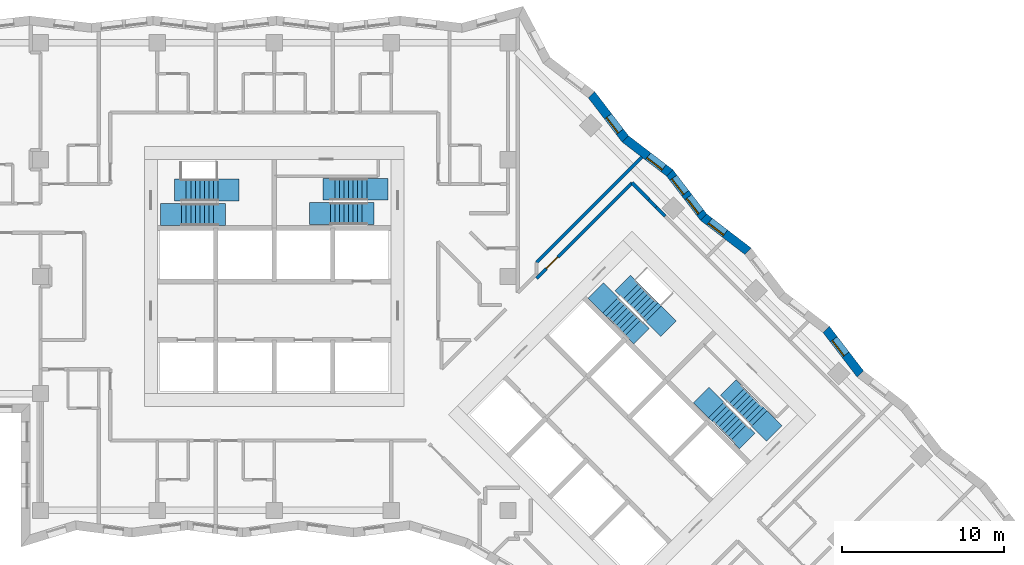
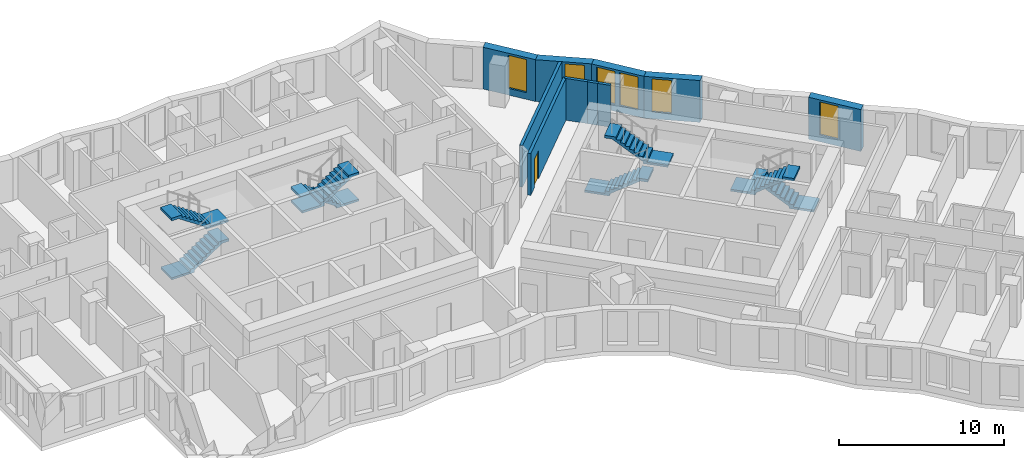
# One storey, part 11 of 13: 10 walls, 8 stair flights, 6 windows, 1 door, 7 openings, 4 elements without a shape of their own.
"""IFC4 building model written with IfcOpenShell, lengths in metres."""

from ifc_helpers import new_model, si_unit, direction, frame, frame_2d, origin, place, context, subcontext, project, spatial, polyline, rectangle, outline, extrude, material, layer, layer_set, type_object, element, fill, aggregate, save


model = new_model("IFC4")

# Units and contexts
model_context = context("Model", 3, precision=1e-05, world=origin(), true_north=direction((0.0, 1.0)))
body_context = subcontext(model_context, "Body", "Model", "MODEL_VIEW")
ifc_project = project(units=[si_unit("LENGTHUNIT", "METRE"), si_unit("AREAUNIT", "SQUARE_METRE"), si_unit("VOLUMEUNIT", "CUBIC_METRE"), si_unit("PLANEANGLEUNIT", "RADIAN"), si_unit("MASSUNIT", "GRAM", prefix="KILO")], contexts=[model_context])

# Site, building, storey
site_placement = place(None, origin())
site = spatial("IfcSite", under=ifc_project, at=site_placement, CompositionType="ELEMENT")
building_placement = place(site_placement, origin())
building = spatial("IfcBuilding", under=site, at=building_placement, Name="Windrow Commons", CompositionType="ELEMENT")
storey_placement = place(building_placement, frame((0.0, 0.0, 98.2)))
storey = spatial("IfcBuildingStorey", under=building, at=storey_placement, Name="L26", CompositionType="ELEMENT", Elevation=98.2)

# Wall, opening, window
ifc_material_1 = material(Name="Brick masonry, red clay brick", Category="masonry")
ifc_layer_1 = layer(ifc_material_1, 0.55)
ifc_layer_set_1 = layer_set([ifc_layer_1], Name="Brick facade wall 550")
wall_type_1 = type_object("IfcWallType", Name="Brick facade wall 550", PredefinedType="SOLIDWALL", material=ifc_layer_set_1)
wall_1_placement = place(storey_placement, frame((100.8907, 51.614, 0.0), z_axis=(0.0, 0.0, 1.0), x_axis=(-0.6082581669, 0.7937392534, 0.0)))
wall_1 = element("IfcWall", 1, at=wall_1_placement, inside=storey, type_object=wall_type_1, Name="Brick facade wall L26 12", PredefinedType="SOLIDWALL", context=body_context, shape_type="SweptSolid", body=[
    extrude(outline(polyline([(0.0364, -0.275), (3.4755, -0.275), (3.4028, 0.275), (-0.0364, 0.275), (0.0364, -0.275)])), origin(), (0.0, 0.0, 1.0), 3.1),
])
opening_1_placement = place(wall_1_placement, frame((1.4819, 0.0, 0.5)))
opening_1 = element("IfcOpeningElement", 2, at=opening_1_placement, cuts=wall_1, Name="Opening W7D", PredefinedType="OPENING", context=body_context, shape_type="SweptSolid", body=[
    extrude(rectangle(XDim=1.2, YDim=2.45, at=frame_2d((0.6, 1.225))), frame((0.0, 0.285, 0.0), z_axis=(0.0, -1.0, 0.0), x_axis=(1.0, 0.0, 0.0)), (0.0, 0.0, 1.0), 0.57),
])
ifc_material_2 = material(Name="Clear float glass in anodised aluminium frame", Category="aluminium")
window_type = type_object("IfcWindowType", Name="Window W7 notch 1200x2450", PartitioningType="SINGLE_PANEL", PredefinedType="WINDOW", material=ifc_material_2)
window_1_placement = place(opening_1_placement, origin())
window_1 = element("IfcWindow", 3, at=window_1_placement, inside=storey, type_object=window_type, Name="Window L26 12.1", OverallHeight=2.45, OverallWidth=1.2, PartitioningType="SINGLE_PANEL", PredefinedType="WINDOW", context=body_context, shape_type="SweptSolid", body=[
    extrude(rectangle(XDim=1.2, YDim=2.45, at=frame_2d((0.6, 1.225))), frame((0.0, 0.155, 0.0), z_axis=(0.0, -1.0, 0.0), x_axis=(1.0, 0.0, 0.0)), (0.0, 0.0, 1.0), 0.06),
])
fill(opening_1, window_1)

wall_2_placement = place(storey_placement, frame((93.9771, 59.1655, 0.0), z_axis=(0.0, 0.0, 1.0), x_axis=(-0.7937392534, 0.6082581669, 0.0)))
wall_2 = element("IfcWall", 4, at=wall_2_placement, inside=storey, type_object=wall_type_1, Name="Brick facade wall L26 15", PredefinedType="SOLIDWALL", context=body_context, shape_type="SweptSolid", body=[
    extrude(outline(polyline([(-0.0364, -0.275), (3.4028, -0.275), (3.4755, 0.275), (0.0364, 0.275), (-0.0364, -0.275)])), origin(), (0.0, 0.0, 1.0), 3.1),
])
opening_2_placement = place(wall_2_placement, frame((1.7884, 0.0, 0.5)))
opening_2 = element("IfcOpeningElement", 5, at=opening_2_placement, cuts=wall_2, Name="Opening W7D", PredefinedType="OPENING", context=body_context, shape_type="SweptSolid", body=[
    extrude(rectangle(XDim=1.2, YDim=2.45, at=frame_2d((0.6, 1.225))), frame((0.0, 0.285, 0.0), z_axis=(0.0, -1.0, 0.0), x_axis=(1.0, 0.0, 0.0)), (0.0, 0.0, 1.0), 0.57),
])
window_2_placement = place(opening_2_placement, origin())
window_2 = element("IfcWindow", 6, at=window_2_placement, inside=storey, type_object=window_type, Name="Window L26 15.1", OverallHeight=2.45, OverallWidth=1.2, PartitioningType="SINGLE_PANEL", PredefinedType="WINDOW", context=body_context, shape_type="SweptSolid", body=[
    extrude(rectangle(XDim=1.2, YDim=2.45, at=frame_2d((0.6, 1.225))), frame((0.0, 0.155, 0.0), z_axis=(0.0, -1.0, 0.0), x_axis=(1.0, 0.0, 0.0)), (0.0, 0.0, 1.0), 0.06),
])
fill(opening_2, window_2)

# Wall, openings, windows
wall_3_placement = place(storey_placement, frame((91.2473, 61.2574, 0.0), z_axis=(0.0, 0.0, 1.0), x_axis=(-0.6082581669, 0.7937392534, 0.0)))
wall_3 = element("IfcWall", 7, at=wall_3_placement, inside=storey, type_object=wall_type_1, Name="Brick facade wall L26 16", PredefinedType="SOLIDWALL", context=body_context, shape_type="SweptSolid", body=[
    extrude(outline(polyline([(0.0364, -0.275), (3.4755, -0.275), (3.4028, 0.275), (-0.0364, 0.275), (0.0364, -0.275)])), origin(), (0.0, 0.0, 1.0), 3.1),
])
opening_3_placement = place(wall_3_placement, frame((0.3649, 0.0, 0.5)))
opening_3 = element("IfcOpeningElement", 8, at=opening_3_placement, cuts=wall_3, Name="Opening W7D", PredefinedType="OPENING", context=body_context, shape_type="SweptSolid", body=[
    extrude(rectangle(XDim=1.2, YDim=2.45, at=frame_2d((0.6, 1.225))), frame((0.0, 0.285, 0.0), z_axis=(0.0, -1.0, 0.0), x_axis=(1.0, 0.0, 0.0)), (0.0, 0.0, 1.0), 0.57),
])
opening_4_placement = place(wall_3_placement, frame((1.8663, 0.0, 0.5)))
opening_4 = element("IfcOpeningElement", 9, at=opening_4_placement, cuts=wall_3, Name="Opening W7D", PredefinedType="OPENING", context=body_context, shape_type="SweptSolid", body=[
    extrude(rectangle(XDim=1.2, YDim=2.45, at=frame_2d((0.6, 1.225))), frame((0.0, 0.285, 0.0), z_axis=(0.0, -1.0, 0.0), x_axis=(1.0, 0.0, 0.0)), (0.0, 0.0, 1.0), 0.57),
])
window_3_placement = place(opening_3_placement, origin())
window_3 = element("IfcWindow", 10, at=window_3_placement, inside=storey, type_object=window_type, Name="Window L26 16.1", OverallHeight=2.45, OverallWidth=1.2, PartitioningType="SINGLE_PANEL", PredefinedType="WINDOW", context=body_context, shape_type="SweptSolid", body=[
    extrude(rectangle(XDim=1.2, YDim=2.45, at=frame_2d((0.6, 1.225))), frame((0.0, 0.155, 0.0), z_axis=(0.0, -1.0, 0.0), x_axis=(1.0, 0.0, 0.0)), (0.0, 0.0, 1.0), 0.06),
])
fill(opening_3, window_3)
window_4_placement = place(opening_4_placement, origin())
window_4 = element("IfcWindow", 11, at=window_4_placement, inside=storey, type_object=window_type, Name="Window L26 16.2", OverallHeight=2.45, OverallWidth=1.2, PartitioningType="SINGLE_PANEL", PredefinedType="WINDOW", context=body_context, shape_type="SweptSolid", body=[
    extrude(rectangle(XDim=1.2, YDim=2.45, at=frame_2d((0.6, 1.225))), frame((0.0, 0.155, 0.0), z_axis=(0.0, -1.0, 0.0), x_axis=(1.0, 0.0, 0.0)), (0.0, 0.0, 1.0), 0.06),
])
fill(opening_4, window_4)

# Wall, opening, window
wall_4_placement = place(storey_placement, frame((89.1554, 63.9872, 0.0), z_axis=(0.0, 0.0, 1.0), x_axis=(-0.7937284952, 0.6082722054, 0.0)))
wall_4 = element("IfcWall", 12, at=wall_4_placement, inside=storey, type_object=wall_type_1, Name="Brick facade wall L26 17", PredefinedType="SOLIDWALL", context=body_context, shape_type="SweptSolid", body=[
    extrude(outline(polyline([(-0.0364, -0.275), (3.4028, -0.275), (3.4755, 0.275), (0.0364, 0.275), (-0.0364, -0.275)])), origin(), (0.0, 0.0, 1.0), 3.1),
])
opening_5_placement = place(wall_4_placement, frame((0.4792, 0.0, 0.5)))
opening_5 = element("IfcOpeningElement", 13, at=opening_5_placement, cuts=wall_4, Name="Opening W7D", PredefinedType="OPENING", context=body_context, shape_type="SweptSolid", body=[
    extrude(rectangle(XDim=1.2, YDim=2.45, at=frame_2d((0.6, 1.225))), frame((0.0, 0.285, 0.0), z_axis=(0.0, -1.0, 0.0), x_axis=(1.0, 0.0, 0.0)), (0.0, 0.0, 1.0), 0.57),
])
window_5_placement = place(opening_5_placement, origin())
window_5 = element("IfcWindow", 14, at=window_5_placement, inside=storey, type_object=window_type, Name="Window L26 17.1", OverallHeight=2.45, OverallWidth=1.2, PartitioningType="SINGLE_PANEL", PredefinedType="WINDOW", context=body_context, shape_type="SweptSolid", body=[
    extrude(rectangle(XDim=1.2, YDim=2.45, at=frame_2d((0.6, 1.225))), frame((0.0, 0.155, 0.0), z_axis=(0.0, -1.0, 0.0), x_axis=(1.0, 0.0, 0.0)), (0.0, 0.0, 1.0), 0.06),
])
fill(opening_5, window_5)

wall_5_placement = place(storey_placement, frame((86.4257, 66.0791, 0.0), z_axis=(0.0, 0.0, 1.0), x_axis=(-0.6082764855, 0.7937252152, 0.0)))
wall_5 = element("IfcWall", 15, at=wall_5_placement, inside=storey, type_object=wall_type_1, Name="Brick facade wall L26 18", PredefinedType="SOLIDWALL", context=body_context, shape_type="SweptSolid", body=[
    extrude(outline(polyline([(0.0364, -0.275), (3.4755, -0.275), (3.4028, 0.275), (-0.0364, 0.275), (0.0364, -0.275)])), origin(), (0.0, 0.0, 1.0), 3.1),
])
opening_6_placement = place(wall_5_placement, frame((0.5571, 0.0, 0.5)))
opening_6 = element("IfcOpeningElement", 16, at=opening_6_placement, cuts=wall_5, Name="Opening W7D", PredefinedType="OPENING", context=body_context, shape_type="SweptSolid", body=[
    extrude(rectangle(XDim=1.2, YDim=2.45, at=frame_2d((0.6, 1.225))), frame((0.0, 0.285, 0.0), z_axis=(0.0, -1.0, 0.0), x_axis=(1.0, 0.0, 0.0)), (0.0, 0.0, 1.0), 0.57),
])
window_6_placement = place(opening_6_placement, origin())
window_6 = element("IfcWindow", 17, at=window_6_placement, inside=storey, type_object=window_type, Name="Window L26 18.1", OverallHeight=2.45, OverallWidth=1.2, PartitioningType="SINGLE_PANEL", PredefinedType="WINDOW", context=body_context, shape_type="SweptSolid", body=[
    extrude(rectangle(XDim=1.2, YDim=2.45, at=frame_2d((0.6, 1.225))), frame((0.0, 0.155, 0.0), z_axis=(0.0, -1.0, 0.0), x_axis=(1.0, 0.0, 0.0)), (0.0, 0.0, 1.0), 0.06),
])
fill(opening_6, window_6)

# Wall, opening, door
ifc_material_3 = material(Name="Blockwork partition", Category="masonry")
ifc_layer_2 = layer(ifc_material_3, 0.2)
ifc_layer_set_2 = layer_set([ifc_layer_2], Name="IW-CORRIDOR-200")
wall_type_2 = type_object("IfcWallType", Name="IW-CORRIDOR-200", PredefinedType="PARTITIONING", material=ifc_layer_set_2)
wall_6_placement = place(storey_placement, frame((80.9509, 57.4891, 0.0), z_axis=(0.0, 0.0, 1.0), x_axis=(0.7071067812, 0.7071067812, 0.0)))
wall_6 = element("IfcWall", 18, at=wall_6_placement, inside=storey, type_object=wall_type_2, Name="W-L26-W012", PredefinedType="PARTITIONING", context=body_context, shape_type="SweptSolid", body=[
    extrude(rectangle(XDim=8.3212, YDim=0.2, at=frame_2d((4.1606, 0.0))), origin(), (0.0, 0.0, 1.0), 3.1),
])
opening_7_placement = place(wall_6_placement, frame((0.8507, 0.0, 0.0)))
opening_7 = element("IfcOpeningElement", 19, at=opening_7_placement, cuts=wall_6, Name="Opening D310F", PredefinedType="OPENING", context=body_context, shape_type="SweptSolid", body=[
    extrude(rectangle(XDim=1.0, YDim=2.1, at=frame_2d((0.5, 1.05))), frame((0.0, 0.11, 0.0), z_axis=(0.0, -1.0, 0.0), x_axis=(1.0, 0.0, 0.0)), (0.0, 0.0, 1.0), 0.22),
])
ifc_material_4 = material(Name="Timber door leaf", Category="wood")
door_type = type_object("IfcDoorType", Name="DT-AMENITY-1000", OperationType="SINGLE_SWING_LEFT", PredefinedType="DOOR", material=ifc_material_4)
door_placement = place(opening_7_placement, origin())
door = element("IfcDoor", 20, at=door_placement, inside=storey, type_object=door_type, Name="D-L26-D044", OperationType="SINGLE_SWING_RIGHT", OverallHeight=2.1, OverallWidth=1.0, PredefinedType="DOOR", context=body_context, shape_type="SweptSolid", body=[
    extrude(rectangle(XDim=1.0, YDim=2.1, at=frame_2d((0.5, 1.05))), frame((0.0, 0.025, 0.0), z_axis=(0.0, -1.0, 0.0), x_axis=(1.0, 0.0, 0.0)), (0.0, 0.0, 1.0), 0.05),
])
fill(opening_7, door)

# Walls
wall_7_placement = place(storey_placement, frame((86.8392, 63.3732, 0.0), z_axis=(0.0, 0.0, 1.0), x_axis=(0.7077963046, -0.7064165847, 0.0)))
element("IfcWall", 21, at=wall_7_placement, inside=storey, type_object=wall_type_2, Name="W-L26-W164", PredefinedType="PARTITIONING", context=body_context, shape_type="SweptSolid", body=[
    extrude(rectangle(XDim=1.4496, YDim=0.2, at=frame_2d((0.7248, 0.0))), origin(), (0.0, 0.0, 1.0), 3.1),
])
wall_8_placement = place(storey_placement, frame((88.3188, 61.8848, 0.0), z_axis=(0.0, 0.0, 1.0), x_axis=(0.7071067812, -0.7071067812, 0.0)))
element("IfcWall", 22, at=wall_8_placement, inside=storey, type_object=wall_type_2, Name="W-L26-W186", PredefinedType="PARTITIONING", context=body_context, shape_type="SweptSolid", body=[
    extrude(rectangle(XDim=0.792, YDim=0.2, at=frame_2d((0.396, 0.0))), origin(), (0.0, 0.0, 1.0), 3.1),
])
wall_9_placement = place(storey_placement, frame((87.8605, 62.3445, 0.0), z_axis=(0.0, 0.0, 1.0), x_axis=(0.7055645691, -0.708645637, 0.0)))
element("IfcWall", 23, at=wall_9_placement, inside=storey, type_object=wall_type_2, Name="W-L26-W191", PredefinedType="PARTITIONING", context=body_context, shape_type="SweptSolid", body=[
    extrude(rectangle(XDim=0.6491, YDim=0.2, at=frame_2d((0.3246, 0.0))), origin(), (0.0, 0.0, 1.0), 3.1),
])
ifc_material_5 = material(Name="Blockwork partition", Category="masonry")
ifc_layer_3 = layer(ifc_material_5, 0.2)
ifc_layer_set_3 = layer_set([ifc_layer_3], Name="IW-PARTY-200")
wall_type_3 = type_object("IfcWallType", Name="IW-PARTY-200", PredefinedType="PARTITIONING", material=ifc_layer_set_3)
wall_10_placement = place(storey_placement, frame((80.9489, 58.4771, 0.0), z_axis=(0.0, 0.0, 1.0), x_axis=(0.7071067812, 0.7071067812, 0.0)))
element("IfcWall", 24, at=wall_10_placement, inside=storey, type_object=wall_type_3, Name="W-L26-W009", PredefinedType="PARTITIONING", context=body_context, shape_type="SweptSolid", body=[
    extrude(rectangle(XDim=9.1695, YDim=0.2, at=frame_2d((4.5847, 0.0))), origin(), (0.0, 0.0, 1.0), 3.1),
])

# Stair, stair flights
ifc_material_6 = material(Name="Concrete C40/50", Category="concrete")
stair_type = type_object("IfcStairType", Name="Core stair", PredefinedType="HALF_TURN_STAIR", material=ifc_material_6)
placement = place(storey_placement, origin())
stair_1 = element("IfcStair", 25, at=placement, inside=storey, type_object=stair_type, Name="L26 Exit stair A1 core A", PredefinedType="HALF_TURN_STAIR")
ifc_material_7 = material(Name="Concrete C40/50", Category="concrete")
stair_flight_type = type_object("IfcStairFlightType", Name="Core stair flight", PredefinedType="STRAIGHT", material=ifc_material_7)
stair_flight_1_placement = place(storey_placement, frame((59.1, 61.425, 0.0), z_axis=(0.0, 0.0, 1.0), x_axis=(1.0, 0.0, 0.0)))
stair_flight_1 = element("IfcStairFlight", 26, at=stair_flight_1_placement, type_object=stair_flight_type, Name="ST-A1 flight 1", NumberOfRisers=9, NumberOfTreads=8, PredefinedType="STRAIGHT", RiserHeight=0.188888889, TreadLength=0.28, context=body_context, shape_type="SweptSolid", body=[
    extrude(outline(polyline([(-1.3, -0.15), (-1.3, 0.0), (0.0, 0.0), (0.0, 0.1889), (0.28, 0.1889), (0.28, 0.3778), (0.56, 0.3778), (0.56, 0.5667), (0.84, 0.5667), (0.84, 0.7556), (1.12, 0.7556), (1.12, 0.9444), (1.4, 0.9444), (1.4, 1.1333), (1.68, 1.1333), (1.68, 1.3222), (1.96, 1.3222), (1.96, 1.5111), (2.24, 1.5111), (2.69, 1.5111), (2.69, 1.3111), (2.24, 1.3111), (2.24, 1.3302), (0.2682, 0.0), (0.2682, -0.15), (-1.3, -0.15)])), frame((0.0, 0.675, 0.0), z_axis=(0.0, -1.0, 0.0), x_axis=(1.0, 0.0, 0.0)), (0.0, 0.0, 1.0), 1.35),
])
stair_flight_2_placement = place(storey_placement, frame((61.34, 62.925, 1.7), z_axis=(0.0, 0.0, 1.0), x_axis=(-1.0, 0.0, 0.0)))
stair_flight_2 = element("IfcStairFlight", 27, at=stair_flight_2_placement, type_object=stair_flight_type, Name="ST-A1 flight 2", NumberOfRisers=9, NumberOfTreads=8, PredefinedType="STRAIGHT", RiserHeight=0.188888889, TreadLength=0.28, context=body_context, shape_type="SweptSolid", body=[
    extrude(outline(polyline([(-1.3, -0.15), (-1.3, 0.0), (0.0, 0.0), (0.0, 0.1889), (0.28, 0.1889), (0.28, 0.3778), (0.56, 0.3778), (0.56, 0.5667), (0.84, 0.5667), (0.84, 0.7556), (1.12, 0.7556), (1.12, 0.9444), (1.4, 0.9444), (1.4, 1.1333), (1.68, 1.1333), (1.68, 1.3222), (1.96, 1.3222), (1.96, 1.5111), (2.24, 1.5111), (2.69, 1.5111), (2.69, 1.3111), (2.24, 1.3111), (2.24, 1.3302), (0.2682, 0.0), (0.2682, -0.15), (-1.3, -0.15)])), frame((0.0, 0.675, 0.0), z_axis=(0.0, -1.0, 0.0), x_axis=(1.0, 0.0, 0.0)), (0.0, 0.0, 1.0), 1.35),
])
aggregate(stair_1, [stair_flight_1, stair_flight_2])

stair_2 = element("IfcStair", 28, at=placement, inside=storey, type_object=stair_type, Name="L26 Exit stair A2 core A", PredefinedType="HALF_TURN_STAIR")
stair_flight_3_placement = place(storey_placement, frame((70.5, 62.98, 0.0), z_axis=(0.0, 0.0, 1.0), x_axis=(-1.0, 0.0, 0.0)))
stair_flight_3 = element("IfcStairFlight", 29, at=stair_flight_3_placement, type_object=stair_flight_type, Name="ST-A2 flight 1", NumberOfRisers=9, NumberOfTreads=8, PredefinedType="STRAIGHT", RiserHeight=0.188888889, TreadLength=0.28, context=body_context, shape_type="SweptSolid", body=[
    extrude(outline(polyline([(-1.3, -0.15), (-1.3, 0.0), (0.0, 0.0), (0.0, 0.1889), (0.28, 0.1889), (0.28, 0.3778), (0.56, 0.3778), (0.56, 0.5667), (0.84, 0.5667), (0.84, 0.7556), (1.12, 0.7556), (1.12, 0.9444), (1.4, 0.9444), (1.4, 1.1333), (1.68, 1.1333), (1.68, 1.3222), (1.96, 1.3222), (1.96, 1.5111), (2.24, 1.5111), (2.69, 1.5111), (2.69, 1.3111), (2.24, 1.3111), (2.24, 1.3302), (0.2682, 0.0), (0.2682, -0.15), (-1.3, -0.15)])), frame((0.0, 0.675, 0.0), z_axis=(0.0, -1.0, 0.0), x_axis=(1.0, 0.0, 0.0)), (0.0, 0.0, 1.0), 1.35),
])
stair_flight_4_placement = place(storey_placement, frame((68.26, 61.48, 1.7), z_axis=(0.0, 0.0, 1.0), x_axis=(1.0, 0.0, 0.0)))
stair_flight_4 = element("IfcStairFlight", 30, at=stair_flight_4_placement, type_object=stair_flight_type, Name="ST-A2 flight 2", NumberOfRisers=9, NumberOfTreads=8, PredefinedType="STRAIGHT", RiserHeight=0.188888889, TreadLength=0.28, context=body_context, shape_type="SweptSolid", body=[
    extrude(outline(polyline([(-1.3, -0.15), (-1.3, 0.0), (0.0, 0.0), (0.0, 0.1889), (0.28, 0.1889), (0.28, 0.3778), (0.56, 0.3778), (0.56, 0.5667), (0.84, 0.5667), (0.84, 0.7556), (1.12, 0.7556), (1.12, 0.9444), (1.4, 0.9444), (1.4, 1.1333), (1.68, 1.1333), (1.68, 1.3222), (1.96, 1.3222), (1.96, 1.5111), (2.24, 1.5111), (2.69, 1.5111), (2.69, 1.3111), (2.24, 1.3111), (2.24, 1.3302), (0.2682, 0.0), (0.2682, -0.15), (-1.3, -0.15)])), frame((0.0, 0.675, 0.0), z_axis=(0.0, -1.0, 0.0), x_axis=(1.0, 0.0, 0.0)), (0.0, 0.0, 1.0), 1.35),
])
aggregate(stair_2, [stair_flight_3, stair_flight_4])

stair_3 = element("IfcStair", 31, at=placement, inside=storey, type_object=stair_type, Name="L26 Exit stair B1 core B", PredefinedType="HALF_TURN_STAIR")
stair_flight_5_placement = place(storey_placement, frame((85.5109, 55.8249, 0.0), z_axis=(0.0, 0.0, 1.0), x_axis=(0.7071067812, -0.7071067812, 0.0)))
stair_flight_5 = element("IfcStairFlight", 32, at=stair_flight_5_placement, type_object=stair_flight_type, Name="ST-B1 flight 1", NumberOfRisers=9, NumberOfTreads=8, PredefinedType="STRAIGHT", RiserHeight=0.188888889, TreadLength=0.28, context=body_context, shape_type="SweptSolid", body=[
    extrude(outline(polyline([(-1.3, -0.15), (-1.3, 0.0), (0.0, 0.0), (0.0, 0.1889), (0.28, 0.1889), (0.28, 0.3778), (0.56, 0.3778), (0.56, 0.5667), (0.84, 0.5667), (0.84, 0.7556), (1.12, 0.7556), (1.12, 0.9444), (1.4, 0.9444), (1.4, 1.1333), (1.68, 1.1333), (1.68, 1.3222), (1.96, 1.3222), (1.96, 1.5111), (2.24, 1.5111), (2.69, 1.5111), (2.69, 1.3111), (2.24, 1.3111), (2.24, 1.3302), (0.2682, 0.0), (0.2682, -0.15), (-1.3, -0.15)])), frame((0.0, 0.675, 0.0), z_axis=(0.0, -1.0, 0.0), x_axis=(1.0, 0.0, 0.0)), (0.0, 0.0, 1.0), 1.35),
])
stair_flight_6_placement = place(storey_placement, frame((88.1555, 55.3017, 1.7), z_axis=(0.0, 0.0, 1.0), x_axis=(-0.7071067812, 0.7071067812, 0.0)))
stair_flight_6 = element("IfcStairFlight", 33, at=stair_flight_6_placement, type_object=stair_flight_type, Name="ST-B1 flight 2", NumberOfRisers=9, NumberOfTreads=8, PredefinedType="STRAIGHT", RiserHeight=0.188888889, TreadLength=0.28, context=body_context, shape_type="SweptSolid", body=[
    extrude(outline(polyline([(-1.3, -0.15), (-1.3, 0.0), (0.0, 0.0), (0.0, 0.1889), (0.28, 0.1889), (0.28, 0.3778), (0.56, 0.3778), (0.56, 0.5667), (0.84, 0.5667), (0.84, 0.7556), (1.12, 0.7556), (1.12, 0.9444), (1.4, 0.9444), (1.4, 1.1333), (1.68, 1.1333), (1.68, 1.3222), (1.96, 1.3222), (1.96, 1.5111), (2.24, 1.5111), (2.69, 1.5111), (2.69, 1.3111), (2.24, 1.3111), (2.24, 1.3302), (0.2682, 0.0), (0.2682, -0.15), (-1.3, -0.15)])), frame((0.0, 0.675, 0.0), z_axis=(0.0, -1.0, 0.0), x_axis=(1.0, 0.0, 0.0)), (0.0, 0.0, 1.0), 1.35),
])
aggregate(stair_3, [stair_flight_5, stair_flight_6])

stair_4 = element("IfcStair", 34, at=placement, inside=storey, type_object=stair_type, Name="L26 Exit stair B2 core B", PredefinedType="HALF_TURN_STAIR")
stair_flight_7_placement = place(storey_placement, frame((94.6715, 48.8635, 0.0), z_axis=(0.0, 0.0, 1.0), x_axis=(-0.7071067812, 0.7071067812, 0.0)))
stair_flight_7 = element("IfcStairFlight", 35, at=stair_flight_7_placement, type_object=stair_flight_type, Name="ST-B2 flight 1", NumberOfRisers=9, NumberOfTreads=8, PredefinedType="STRAIGHT", RiserHeight=0.188888889, TreadLength=0.28, context=body_context, shape_type="SweptSolid", body=[
    extrude(outline(polyline([(-1.3, -0.15), (-1.3, 0.0), (0.0, 0.0), (0.0, 0.1889), (0.28, 0.1889), (0.28, 0.3778), (0.56, 0.3778), (0.56, 0.5667), (0.84, 0.5667), (0.84, 0.7556), (1.12, 0.7556), (1.12, 0.9444), (1.4, 0.9444), (1.4, 1.1333), (1.68, 1.1333), (1.68, 1.3222), (1.96, 1.3222), (1.96, 1.5111), (2.24, 1.5111), (2.69, 1.5111), (2.69, 1.3111), (2.24, 1.3111), (2.24, 1.3302), (0.2682, 0.0), (0.2682, -0.15), (-1.3, -0.15)])), frame((0.0, 0.675, 0.0), z_axis=(0.0, -1.0, 0.0), x_axis=(1.0, 0.0, 0.0)), (0.0, 0.0, 1.0), 1.35),
])
stair_flight_8_placement = place(storey_placement, frame((92.0269, 49.3867, 1.7), z_axis=(0.0, 0.0, 1.0), x_axis=(0.7071067812, -0.7071067812, 0.0)))
stair_flight_8 = element("IfcStairFlight", 36, at=stair_flight_8_placement, type_object=stair_flight_type, Name="ST-B2 flight 2", NumberOfRisers=9, NumberOfTreads=8, PredefinedType="STRAIGHT", RiserHeight=0.188888889, TreadLength=0.28, context=body_context, shape_type="SweptSolid", body=[
    extrude(outline(polyline([(-1.3, -0.15), (-1.3, 0.0), (0.0, 0.0), (0.0, 0.1889), (0.28, 0.1889), (0.28, 0.3778), (0.56, 0.3778), (0.56, 0.5667), (0.84, 0.5667), (0.84, 0.7556), (1.12, 0.7556), (1.12, 0.9444), (1.4, 0.9444), (1.4, 1.1333), (1.68, 1.1333), (1.68, 1.3222), (1.96, 1.3222), (1.96, 1.5111), (2.24, 1.5111), (2.69, 1.5111), (2.69, 1.3111), (2.24, 1.3111), (2.24, 1.3302), (0.2682, 0.0), (0.2682, -0.15), (-1.3, -0.15)])), frame((0.0, 0.675, 0.0), z_axis=(0.0, -1.0, 0.0), x_axis=(1.0, 0.0, 0.0)), (0.0, 0.0, 1.0), 1.35),
])
aggregate(stair_4, [stair_flight_7, stair_flight_8])

save(model, "model.ifc")
